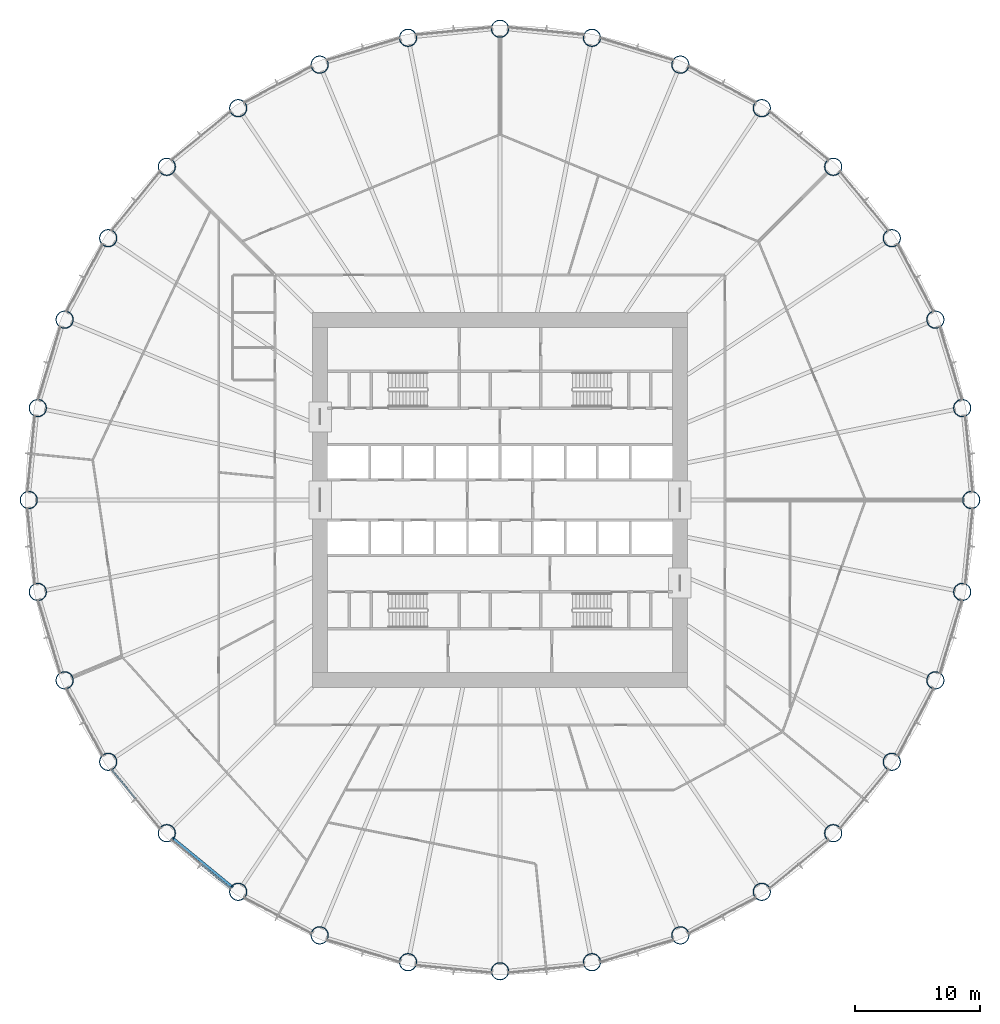
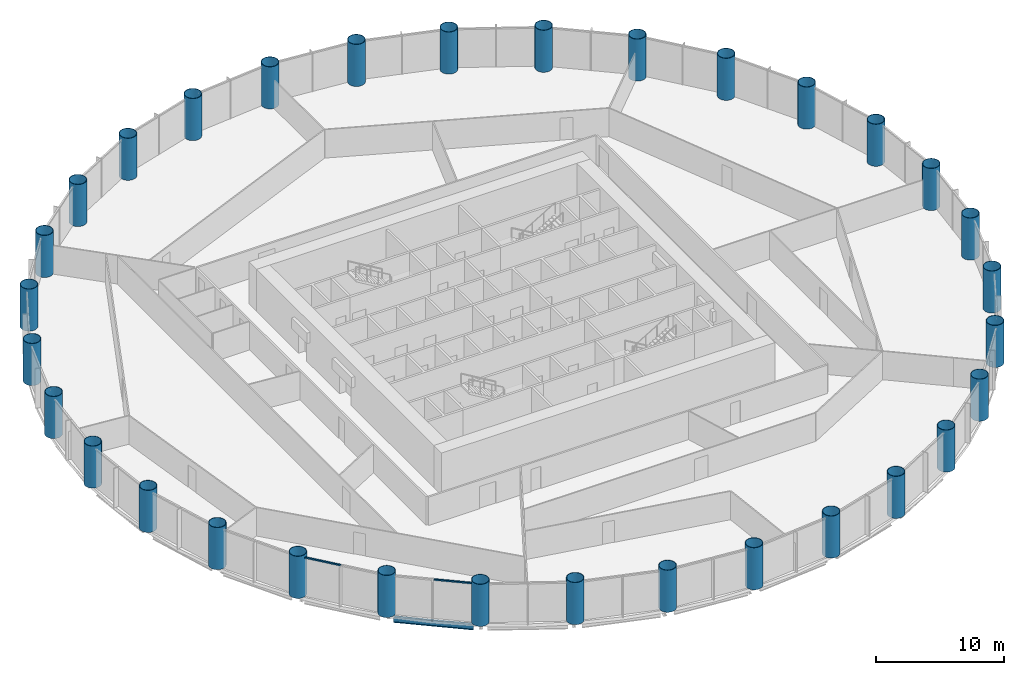
# One storey, part 1 of 15: 32 columns, 2 members, 1 beam, 2 elements without a shape of their own.
"""IFC4 building model written with IfcOpenShell, lengths in metres."""

from ifc_helpers import new_model, si_unit, direction, frame, origin, origin_2d, place, context, subcontext, project, spatial, rectangle, hollow_circle, i_section, extrude, material, material_profile, profile_set, type_object, element, aggregate, save


model = new_model("IFC4")

# Units and contexts
model_context = context("Model", 3, precision=1e-05, world=origin(), true_north=direction((0.0, 1.0)))
body_context = subcontext(model_context, "Body", "Model", "MODEL_VIEW")
ifc_project = project(units=[si_unit("LENGTHUNIT", "METRE"), si_unit("AREAUNIT", "SQUARE_METRE"), si_unit("VOLUMEUNIT", "CUBIC_METRE"), si_unit("PLANEANGLEUNIT", "RADIAN"), si_unit("MASSUNIT", "GRAM", prefix="KILO")], contexts=[model_context])

# Site, building, storey
site_placement = place(None, origin())
site = spatial("IfcSite", under=ifc_project, at=site_placement, CompositionType="ELEMENT")
building_placement = place(site_placement, origin())
building = spatial("IfcBuilding", under=site, at=building_placement, Name="Corvane Civic Tower", CompositionType="ELEMENT")
storey_placement = place(building_placement, frame((0.0, 0.0, 57.0)))
storey = spatial("IfcBuildingStorey", under=building, at=storey_placement, Name="L12", CompositionType="ELEMENT", Elevation=57.0)

# Columns
ifc_material_1 = material(Name="Steel ASTM A572 Gr 50", Category="steel")
ifc_material_profile_1 = material_profile(ifc_material_1, hollow_circle(Radius=0.699951171875, WallThickness=0.0400390625, at=origin_2d()), Name="CHS1400X40")
ifc_profile_set_1 = profile_set([ifc_material_profile_1], Name="Steel ASTM A572 Gr 50")
column_type = type_object("IfcColumnType", Name="COMPOSITE COLUMN CHS1400X40", PredefinedType="COLUMN", material=ifc_profile_set_1)
for number, where, z_axis, x_axis, name in (
    (1, (0.0, 37.699951171875, 0.0), (0.0, 0.0, 1.0), (1.0, 0.0, 0.0), "COL-L12-A01"),
    (2, (7.35498046875, 36.9755859375, 0.0), (0.0, 0.0, 1.0), (1.0, 0.0, 0.0), "COL-L12-A02"),
    (3, (14.42724609375, 34.830322265625, 0.0), (0.0, 0.0, 1.0), (1.0, 0.0, 0.0), "COL-L12-A03"),
    (4, (20.945068359375, 31.346435546875, 0.0), (0.0, 0.0, 1.0), (1.0, 0.0, 0.0), "COL-L12-A04"),
    (5, (26.657958984375, 26.657958984375, 0.0), (0.0, 0.0, 1.0), (1.0, 0.0, 0.0), "COL-L12-A05"),
    (6, (31.346435546875, 20.945068359375, 0.0), (0.0, 0.0, 1.0), (1.0, 0.0, 0.0), "COL-L12-A06"),
    (7, (34.830322265625, 14.42724609375, 0.0), (0.0, 0.0, 1.0), (1.0, 0.0, 0.0), "COL-L12-A07"),
    (8, (36.9755859375, 7.35498046875, 0.0), (0.0, 0.0, 1.0), (1.0, 0.0, 0.0), "COL-L12-A08"),
    (9, (37.699951171875, 0.0, 0.0), (0.0, 0.0, 1.0), (1.0, 0.0, 0.0), "COL-L12-A09"),
    (10, (36.9755859375, -7.35498046875, 0.0), (0.0, 0.0, 1.0), (1.0, 0.0, 0.0), "COL-L12-A10"),
    (11, (34.830322265625, -14.42724609375, 0.0), (0.0, 0.0, 1.0), (1.0, 0.0, 0.0), "COL-L12-A11"),
    (12, (31.346435546875, -20.945068359375, 0.0), (0.0, 0.0, 1.0), (1.0, 0.0, 0.0), "COL-L12-A12"),
    (13, (26.657958984375, -26.657958984375, 0.0), (0.0, 0.0, 1.0), (1.0, 0.0, 0.0), "COL-L12-A13"),
    (14, (20.945068359375, -31.346435546875, 0.0), (0.0, 0.0, 1.0), (1.0, 0.0, 0.0), "COL-L12-A14"),
    (15, (14.42724609375, -34.830322265625, 0.0), (0.0, 0.0, 1.0), (1.0, 0.0, 0.0), "COL-L12-A15"),
    (16, (7.35498046875, -36.9755859375, 0.0), (0.0, 0.0, 1.0), (1.0, 0.0, 0.0), "COL-L12-A16"),
    (17, (0.0, -37.699951171875, 0.0), (0.0, 0.0, 1.0), (1.0, 0.0, 0.0), "COL-L12-A17"),
    (18, (-7.35498046875, -36.9755859375, 0.0), (0.0, 0.0, 1.0), (1.0, 0.0, 0.0), "COL-L12-A18"),
    (19, (-14.42724609375, -34.830322265625, 0.0), (0.0, 0.0, 1.0), (1.0, 0.0, 0.0), "COL-L12-A19"),
    (20, (-20.945068359375, -31.346435546875, 0.0), (0.0, 0.0, 1.0), (1.0, 0.0, 0.0), "COL-L12-A20"),
    (21, (-26.657958984375, -26.657958984375, 0.0), (0.0, 0.0, 1.0), (1.0, 0.0, 0.0), "COL-L12-A21"),
    (22, (-31.346435546875, -20.945068359375, 0.0), (0.0, 0.0, 1.0), (1.0, 0.0, 0.0), "COL-L12-A22"),
    (23, (-34.830322265625, -14.42724609375, 0.0), (0.0, 0.0, 1.0), (1.0, 0.0, 0.0), "COL-L12-A23"),
    (24, (-36.9755859375, -7.35498046875, 0.0), (0.0, 0.0, 1.0), (1.0, 0.0, 0.0), "COL-L12-A24"),
    (25, (-37.699951171875, 0.0, 0.0), (0.0, 0.0, 1.0), (1.0, 0.0, 0.0), "COL-L12-A25"),
    (26, (-36.9755859375, 7.35498046875, 0.0), (0.0, 0.0, 1.0), (1.0, 0.0, 0.0), "COL-L12-A26"),
    (27, (-34.830322265625, 14.42724609375, 0.0), (0.0, 0.0, 1.0), (1.0, 0.0, 0.0), "COL-L12-A27"),
    (28, (-31.346435546875, 20.945068359375, 0.0), (0.0, 0.0, 1.0), (1.0, 0.0, 0.0), "COL-L12-A28"),
    (29, (-26.657958984375, 26.657958984375, 0.0), (0.0, 0.0, 1.0), (1.0, 0.0, 0.0), "COL-L12-A29"),
    (30, (-20.945068359375, 31.346435546875, 0.0), (0.0, 0.0, 1.0), (1.0, 0.0, 0.0), "COL-L12-A30"),
    (31, (-14.42724609375, 34.830322265625, 0.0), (0.0, 0.0, 1.0), (1.0, 0.0, 0.0), "COL-L12-A31"),
    (32, (-7.35498046875, 36.9755859375, 0.0), (0.0, 0.0, 1.0), (1.0, 0.0, 0.0), "COL-L12-A32"),
):
    element("IfcColumn", number, at=place(storey_placement, frame(where, z_axis=z_axis, x_axis=x_axis)), inside=storey, type_object=column_type, Name=name, PredefinedType="COLUMN", context=body_context, shape_type="SweptSolid", body=[
        extrude(hollow_circle(Radius=0.699951171875, WallThickness=0.0400390625, at=origin_2d()), origin(), (0.0, 0.0, 1.0), 4.0),
    ])

# Beam
ifc_material_2 = material(Name="Steel ASTM A992 Gr 50", Category="steel")
ifc_material_profile_2 = material_profile(ifc_material_2, i_section(OverallWidth=0.209228515625, OverallDepth=0.533447265625, WebThickness=0.01025390625, FlangeThickness=0.015625, at=origin_2d()), Name="W21X62")
ifc_profile_set_2 = profile_set([ifc_material_profile_2], Name="Steel ASTM A992 Gr 50")
beam_type = type_object("IfcBeamType", Name="EDGE BEAM W21X62", PredefinedType="BEAM", material=ifc_profile_set_2)
beam_placement = place(storey_placement, frame((-21.3701171875, -30.99755859375, -0.566650390625), z_axis=(-0.773015785286, 0.634386787141, 0.0), x_axis=(-0.634386787141, -0.773015785286, 0.0)))
element("IfcBeam", 33, at=beam_placement, inside=storey, type_object=beam_type, Name="BM-L12-E20", PredefinedType="BEAM", context=body_context, shape_type="SweptSolid", body=[
    extrude(i_section(OverallWidth=0.209228515625, OverallDepth=0.533447265625, WebThickness=0.01025390625, FlangeThickness=0.015625, at=origin_2d()), origin(), (0.0, 0.0, 1.0), 6.290771484375),
])

# Curtain wall, member
ifc_material_3 = material(Name="Anodised aluminium bronze", Category="aluminium")
curtain_wall_type = type_object("IfcCurtainWallType", Name="TOWER CW-T1 STICK CURTAIN WALL", PredefinedType="NOTDEFINED", material=ifc_material_3)
curtain_wall_1_placement = place(storey_placement, origin())
curtain_wall_1 = element("IfcCurtainWall", 34, at=curtain_wall_1_placement, inside=storey, type_object=curtain_wall_type, Name="Curtain wall CW-T1 L12 bay 20", PredefinedType="NOTDEFINED")
ifc_material_4 = material(Name="Anodised aluminium bronze", Category="aluminium")
ifc_material_profile_3 = material_profile(ifc_material_4, rectangle(XDim=0.139892578125, YDim=0.1201171875, at=origin_2d()), Name="TOWER CW-T1 TRANSOM 140x120")
ifc_profile_set_3 = profile_set([ifc_material_profile_3], Name="Anodised aluminium bronze")
member_type = type_object("IfcMemberType", Name="TOWER CW-T1 TRANSOM 140x120", PredefinedType="USERDEFINED", material=ifc_profile_set_3)
member_1_placement = place(storey_placement, frame((-21.55859375, -31.074462890625, 3.68994140625), z_axis=(-0.773041738279, 0.634355161466, 0.0), x_axis=(-0.634355161466, -0.773041738279, 0.0)))
member_1 = element("IfcMember", 35, at=member_1_placement, type_object=member_type, Name="Transom CW-T1 L12 20.1", ObjectType="TRANSOM", PredefinedType="USERDEFINED", context=body_context, shape_type="SweptSolid", body=[
    extrude(rectangle(XDim=0.139892578125, YDim=0.1201171875, at=origin_2d()), origin(), (0.0, 0.0, 1.0), 3.008544921875),
])
aggregate(curtain_wall_1, [member_1])

curtain_wall_2_placement = place(storey_placement, origin())
curtain_wall_2 = element("IfcCurtainWall", 36, at=curtain_wall_2_placement, inside=storey, type_object=curtain_wall_type, Name="Curtain wall CW-T1 L12 bay 21", PredefinedType="NOTDEFINED")
member_2_placement = place(storey_placement, frame((-29.166015625, -23.88427734375, 3.68994140625), z_axis=(-0.634355161466, 0.773041738279, 0.0), x_axis=(-0.773041738279, -0.634355161466, 0.0)))
member_2 = element("IfcMember", 37, at=member_2_placement, type_object=member_type, Name="Transom CW-T1 L12 21.2", ObjectType="TRANSOM", PredefinedType="USERDEFINED", context=body_context, shape_type="SweptSolid", body=[
    extrude(rectangle(XDim=0.139892578125, YDim=0.1201171875, at=origin_2d()), origin(), (0.0, 0.0, 1.0), 3.008544921875),
])
aggregate(curtain_wall_2, [member_2])

save(model, "model.ifc")
